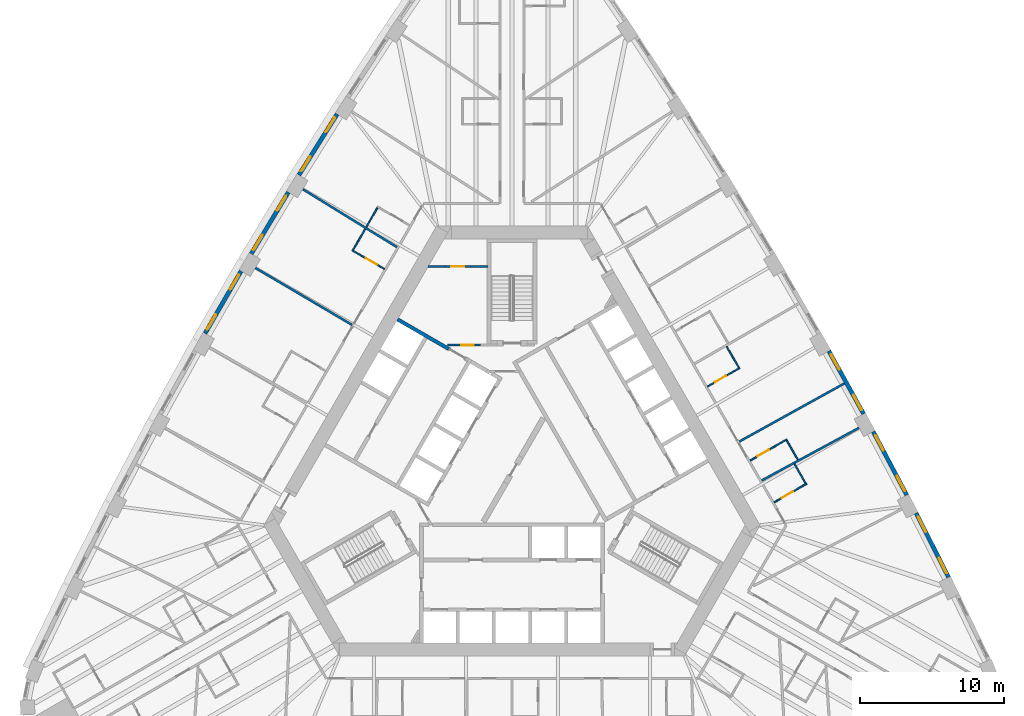
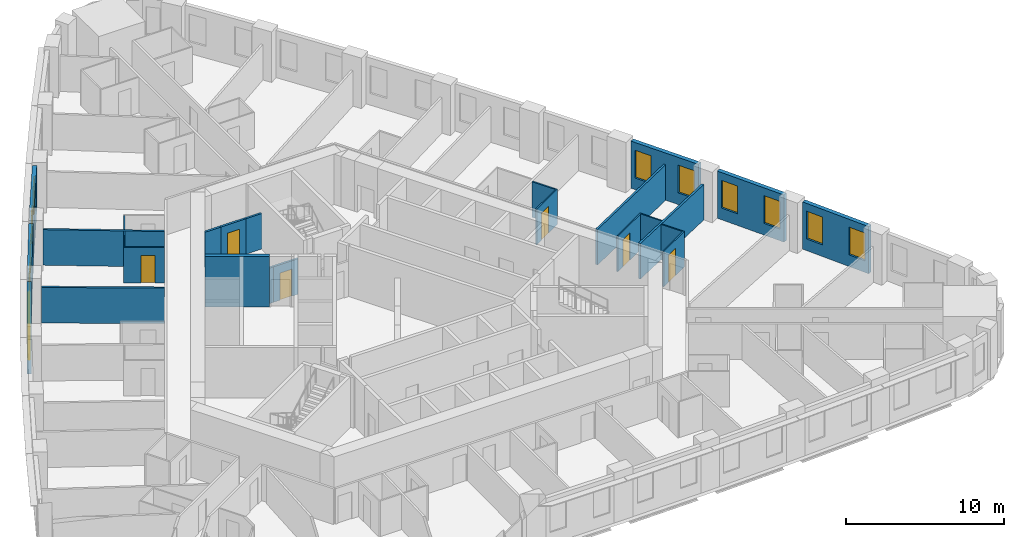
# One storey, part 9 of 13: 25 walls, 12 windows, 6 doors, 18 openings.
"""IFC4 building model written with IfcOpenShell, lengths in metres."""

from ifc_helpers import new_model, si_unit, direction, frame, frame_2d, origin, place, context, subcontext, project, spatial, rectangle, extrude, material, layer, layer_set, type_object, element, fill, save


model = new_model("IFC4")

# Units and contexts
model_context = context("Model", 3, precision=1e-05, world=origin(), true_north=direction((0.0, 1.0)))
body_context = subcontext(model_context, "Body", "Model", "MODEL_VIEW")
ifc_project = project(units=[si_unit("LENGTHUNIT", "METRE"), si_unit("AREAUNIT", "SQUARE_METRE"), si_unit("VOLUMEUNIT", "CUBIC_METRE"), si_unit("PLANEANGLEUNIT", "RADIAN"), si_unit("MASSUNIT", "GRAM", prefix="KILO")], contexts=[model_context])

# Site, building, storey
site_placement = place(None, origin())
site = spatial("IfcSite", under=ifc_project, at=site_placement, CompositionType="ELEMENT")
building_placement = place(site_placement, origin())
building = spatial("IfcBuilding", under=site, at=building_placement, Name="Mestral Congress Tower", CompositionType="ELEMENT")
storey_placement = place(building_placement, frame((0.0, 0.0, 35.39990234375)))
storey = spatial("IfcBuildingStorey", under=building, at=storey_placement, Name="L07", CompositionType="ELEMENT", Elevation=35.39990234375)

# Walls
ifc_material_1 = material(Name="Fire-rated board partition")
ifc_layer_1 = layer(ifc_material_1, 0.14990234375)
ifc_layer_set_1 = layer_set([ifc_layer_1], Name="Fire-rated board partition")
wall_type_1 = type_object("IfcWallType", Name="Core partition 150", PredefinedType="PARTITIONING", material=ifc_layer_set_1)
wall_1_placement = place(storey_placement, frame((-3.99658203125, 8.625244140625, 0.0), z_axis=(0.0, 0.0, 1.0), x_axis=(-1.0, 0.0, 0.0)))
element("IfcWall", 1, at=wall_1_placement, inside=storey, type_object=wall_type_1, Name="L07 core wall", PredefinedType="PARTITIONING", context=body_context, shape_type="SweptSolid", body=[
    extrude(rectangle(XDim=0.502197265625, YDim=0.14990234375, at=frame_2d((0.2509765625, 0.0))), origin(), (0.0, 0.0, 1.0), 2.75),
])
wall_2_placement = place(storey_placement, frame((-5.85107421875, 14.10205078125, 0.0), z_axis=(0.0, 0.0, 1.0), x_axis=(1.0, 0.0, 0.0)))
element("IfcWall", 2, at=wall_2_placement, inside=storey, type_object=wall_type_1, Name="L07 core wall", PredefinedType="PARTITIONING", context=body_context, shape_type="SweptSolid", body=[
    extrude(rectangle(XDim=1.18017578125, YDim=0.14990234375, at=frame_2d((0.590087890625, 0.0))), origin(), (0.0, 0.0, 1.0), 2.75),
])
wall_3_placement = place(storey_placement, frame((-2.87060546875, 14.10205078125, 0.0), z_axis=(0.0, 0.0, 1.0), x_axis=(1.0, 0.0, 0.0)))
element("IfcWall", 3, at=wall_3_placement, inside=storey, type_object=wall_type_1, Name="L07 core wall", PredefinedType="PARTITIONING", context=body_context, shape_type="SweptSolid", body=[
    extrude(rectangle(XDim=1.195556640625, YDim=0.14990234375, at=frame_2d((0.59765625, 0.0))), origin(), (0.0, 0.0, 1.0), 2.75),
])

# Wall, opening, door
wall_4_placement = place(storey_placement, frame((-2.1962890625, 8.625, 0.0), z_axis=(0.0, 0.0, 1.0), x_axis=(-1.0, 0.0, 0.0)))
wall_4 = element("IfcWall", 4, at=wall_4_placement, inside=storey, type_object=wall_type_1, Name="L07 door wall", PredefinedType="PARTITIONING", context=body_context, shape_type="SweptSolid", body=[
    extrude(rectangle(XDim=1.800048828125, YDim=0.14990234375, at=frame_2d((0.89990234375, 0.0))), origin(), (0.0, 0.0, 1.0), 2.75),
])
opening_1_placement = place(wall_4_placement, frame((0.449951171875, 0.0, 0.0)))
opening_1 = element("IfcOpeningElement", 5, at=opening_1_placement, cuts=wall_4, Name="Opening TD2", PredefinedType="OPENING", context=body_context, shape_type="SweptSolid", body=[
    extrude(rectangle(XDim=0.89990234375, YDim=2.10009765625, at=frame_2d((0.449951171875, 1.050048828125))), frame((0.0, 0.0849609375, 0.0), z_axis=(0.0, -1.0, 0.0), x_axis=(1.0, 0.0, 0.0)), (0.0, 0.0, 1.0), 0.169921875),
])
ifc_material_2 = material(Name="Fire-rated steel door set", Category="steel")
door_type_1 = type_object("IfcDoorType", Name="Core door SR 900x2100", OperationType="SINGLE_SWING_LEFT", PredefinedType="DOOR", material=ifc_material_2)
door_1_placement = place(opening_1_placement, origin())
door_1 = element("IfcDoor", 6, at=door_1_placement, inside=storey, type_object=door_type_1, Name="Door TD2", OperationType="SINGLE_SWING_LEFT", OverallHeight=2.10009765625, OverallWidth=0.89990234375, PredefinedType="DOOR", context=body_context, shape_type="SweptSolid", body=[
    extrude(rectangle(XDim=0.89990234375, YDim=2.10009765625, at=frame_2d((0.449951171875, 1.050048828125))), frame((0.0, 0.02490234375, 0.0), z_axis=(0.0, -1.0, 0.0), x_axis=(1.0, 0.0, 0.0)), (0.0, 0.0, 1.0), 0.050048828125),
])
fill(opening_1, door_1)

wall_5_placement = place(storey_placement, frame((-2.870849609375, 14.10205078125, 0.0), z_axis=(0.0, 0.0, 1.0), x_axis=(-1.0, 0.0, 0.0)))
wall_5 = element("IfcWall", 7, at=wall_5_placement, inside=storey, type_object=wall_type_1, Name="L07 door wall", PredefinedType="PARTITIONING", context=body_context, shape_type="SweptSolid", body=[
    extrude(rectangle(XDim=1.800048828125, YDim=0.14990234375, at=frame_2d((0.89990234375, 0.0))), origin(), (0.0, 0.0, 1.0), 2.75),
])
opening_2_placement = place(wall_5_placement, frame((0.449951171875, 0.0, 0.0)))
opening_2 = element("IfcOpeningElement", 8, at=opening_2_placement, cuts=wall_5, Name="Opening SD-WS2", PredefinedType="OPENING", context=body_context, shape_type="SweptSolid", body=[
    extrude(rectangle(XDim=0.89990234375, YDim=2.10009765625, at=frame_2d((0.449951171875, 1.050048828125))), frame((0.0, 0.0849609375, 0.0), z_axis=(0.0, -1.0, 0.0), x_axis=(1.0, 0.0, 0.0)), (0.0, 0.0, 1.0), 0.169921875),
])
door_2_placement = place(opening_2_placement, origin())
door_2 = element("IfcDoor", 9, at=door_2_placement, inside=storey, type_object=door_type_1, Name="Door SD-WS2", OperationType="SINGLE_SWING_LEFT", OverallHeight=2.10009765625, OverallWidth=0.89990234375, PredefinedType="DOOR", context=body_context, shape_type="SweptSolid", body=[
    extrude(rectangle(XDim=0.89990234375, YDim=2.10009765625, at=frame_2d((0.449951171875, 1.050048828125))), frame((0.0, 0.02490234375, 0.0), z_axis=(0.0, -1.0, 0.0), x_axis=(1.0, 0.0, 0.0)), (0.0, 0.0, 1.0), 0.050048828125),
])
fill(opening_2, door_2)

# Wall, openings, windows
ifc_material_3 = material(Name="Precast concrete C40/50 with limestone facing", Category="masonry")
ifc_layer_2 = layer(ifc_material_3, 0.2900390625)
ifc_layer_set_2 = layer_set([ifc_layer_2], Name="Precast concrete C40/50 with limestone facing")
wall_type_2 = type_object("IfcWallType", Name="Facade stone wall 290", PredefinedType="SOLIDWALL", material=ifc_layer_set_2)
wall_6_placement = place(storey_placement, frame((30.376953125, -7.5205078125, 0.0), z_axis=(0.0, 0.0, 1.0), x_axis=(-0.451233929645, 0.892405704115, 0.0)))
wall_6 = element("IfcWall", 10, at=wall_6_placement, inside=storey, type_object=wall_type_2, Name="Facade wall F1-01", PredefinedType="SOLIDWALL", context=body_context, shape_type="SweptSolid", body=[
    extrude(rectangle(XDim=4.998291015625, YDim=0.2900390625, at=frame_2d((2.4990234375, 0.0))), origin(), (0.0, 0.0, 1.0), 3.650146484375),
])
opening_3_placement = place(wall_6_placement, frame((0.297119140625, 0.0, 0.89990234375)))
opening_3 = element("IfcOpeningElement", 11, at=opening_3_placement, cuts=wall_6, Name="Opening W1", PredefinedType="OPENING", context=body_context, shape_type="SweptSolid", body=[
    extrude(rectangle(XDim=1.199951171875, YDim=2.14990234375, at=frame_2d((0.60009765625, 1.074951171875))), frame((0.0, 0.155029296875, 0.0), z_axis=(0.0, -1.0, 0.0), x_axis=(1.0, 0.0, 0.0)), (0.0, 0.0, 1.0), 0.31005859375),
])
opening_4_placement = place(wall_6_placement, frame((3.501220703125, 0.0, 0.89990234375)))
opening_4 = element("IfcOpeningElement", 12, at=opening_4_placement, cuts=wall_6, Name="Opening W1", PredefinedType="OPENING", context=body_context, shape_type="SweptSolid", body=[
    extrude(rectangle(XDim=1.199951171875, YDim=2.14990234375, at=frame_2d((0.60009765625, 1.074951171875))), frame((0.0, 0.155029296875, 0.0), z_axis=(0.0, -1.0, 0.0), x_axis=(1.0, 0.0, 0.0)), (0.0, 0.0, 1.0), 0.31005859375),
])
ifc_material_4 = material(Name="Clear low-emissivity double glazing", Category="glass")
window_type = type_object("IfcWindowType", Name="Facade punched window 1200 x 2150 sill 900", PartitioningType="DOUBLE_PANEL_VERTICAL", PredefinedType="WINDOW", material=ifc_material_4)
window_1_placement = place(opening_3_placement, origin())
window_1 = element("IfcWindow", 13, at=window_1_placement, inside=storey, type_object=window_type, Name="Window F1-01a", OverallHeight=2.14990234375, OverallWidth=1.199951171875, PartitioningType="DOUBLE_PANEL_VERTICAL", PredefinedType="WINDOW", context=body_context, shape_type="SweptSolid", body=[
    extrude(rectangle(XDim=1.199951171875, YDim=2.14990234375, at=frame_2d((0.60009765625, 1.074951171875))), frame((0.0, 0.01513671875, 0.0), z_axis=(0.0, -1.0, 0.0), x_axis=(1.0, 0.0, 0.0)), (0.0, 0.0, 1.0), 0.06005859375),
])
fill(opening_3, window_1)
window_2_placement = place(opening_4_placement, origin())
window_2 = element("IfcWindow", 14, at=window_2_placement, inside=storey, type_object=window_type, Name="Window F1-01b", OverallHeight=2.14990234375, OverallWidth=1.199951171875, PartitioningType="DOUBLE_PANEL_VERTICAL", PredefinedType="WINDOW", context=body_context, shape_type="SweptSolid", body=[
    extrude(rectangle(XDim=1.199951171875, YDim=2.14990234375, at=frame_2d((0.60009765625, 1.074951171875))), frame((0.0, 0.01513671875, 0.0), z_axis=(0.0, -1.0, 0.0), x_axis=(1.0, 0.0, 0.0)), (0.0, 0.0, 1.0), 0.06005859375),
])
fill(opening_4, window_2)

wall_7_placement = place(storey_placement, frame((27.47509765625, -1.810302734375, 0.0), z_axis=(0.0, 0.0, 1.0), x_axis=(-0.467629620899, 0.883924509026, 0.0)))
wall_7 = element("IfcWall", 15, at=wall_7_placement, inside=storey, type_object=wall_type_2, Name="Facade wall F1-02", PredefinedType="SOLIDWALL", context=body_context, shape_type="SweptSolid", body=[
    extrude(rectangle(XDim=4.998291015625, YDim=0.2900390625, at=frame_2d((2.4990234375, 0.0))), origin(), (0.0, 0.0, 1.0), 3.650146484375),
])
opening_5_placement = place(wall_7_placement, frame((0.297119140625, 0.0, 0.89990234375)))
opening_5 = element("IfcOpeningElement", 16, at=opening_5_placement, cuts=wall_7, Name="Opening W1", PredefinedType="OPENING", context=body_context, shape_type="SweptSolid", body=[
    extrude(rectangle(XDim=1.199951171875, YDim=2.14990234375, at=frame_2d((0.60009765625, 1.074951171875))), frame((0.0, 0.155029296875, 0.0), z_axis=(0.0, -1.0, 0.0), x_axis=(1.0, 0.0, 0.0)), (0.0, 0.0, 1.0), 0.31005859375),
])
opening_6_placement = place(wall_7_placement, frame((3.501220703125, 0.0, 0.89990234375)))
opening_6 = element("IfcOpeningElement", 17, at=opening_6_placement, cuts=wall_7, Name="Opening W1", PredefinedType="OPENING", context=body_context, shape_type="SweptSolid", body=[
    extrude(rectangle(XDim=1.199951171875, YDim=2.14990234375, at=frame_2d((0.60009765625, 1.074951171875))), frame((0.0, 0.155029296875, 0.0), z_axis=(0.0, -1.0, 0.0), x_axis=(1.0, 0.0, 0.0)), (0.0, 0.0, 1.0), 0.31005859375),
])
window_3_placement = place(opening_5_placement, origin())
window_3 = element("IfcWindow", 18, at=window_3_placement, inside=storey, type_object=window_type, Name="Window F1-02a", OverallHeight=2.14990234375, OverallWidth=1.199951171875, PartitioningType="DOUBLE_PANEL_VERTICAL", PredefinedType="WINDOW", context=body_context, shape_type="SweptSolid", body=[
    extrude(rectangle(XDim=1.199951171875, YDim=2.14990234375, at=frame_2d((0.60009765625, 1.074951171875))), frame((0.0, 0.01513671875, 0.0), z_axis=(0.0, -1.0, 0.0), x_axis=(1.0, 0.0, 0.0)), (0.0, 0.0, 1.0), 0.06005859375),
])
fill(opening_5, window_3)
window_4_placement = place(opening_6_placement, origin())
window_4 = element("IfcWindow", 19, at=window_4_placement, inside=storey, type_object=window_type, Name="Window F1-02b", OverallHeight=2.14990234375, OverallWidth=1.199951171875, PartitioningType="DOUBLE_PANEL_VERTICAL", PredefinedType="WINDOW", context=body_context, shape_type="SweptSolid", body=[
    extrude(rectangle(XDim=1.199951171875, YDim=2.14990234375, at=frame_2d((0.60009765625, 1.074951171875))), frame((0.0, 0.01513671875, 0.0), z_axis=(0.0, -1.0, 0.0), x_axis=(1.0, 0.0, 0.0)), (0.0, 0.0, 1.0), 0.06005859375),
])
fill(opening_6, window_4)

wall_8_placement = place(storey_placement, frame((24.46826171875, 3.845703125, 0.0), z_axis=(0.0, 0.0, 1.0), x_axis=(-0.483912572871, 0.875116347589, 0.0)))
wall_8 = element("IfcWall", 20, at=wall_8_placement, inside=storey, type_object=wall_type_2, Name="Facade wall F1-03", PredefinedType="SOLIDWALL", context=body_context, shape_type="SweptSolid", body=[
    extrude(rectangle(XDim=4.998291015625, YDim=0.2900390625, at=frame_2d((2.4990234375, 0.0))), origin(), (0.0, 0.0, 1.0), 3.650146484375),
])
opening_7_placement = place(wall_8_placement, frame((0.297119140625, 0.0, 0.89990234375)))
opening_7 = element("IfcOpeningElement", 21, at=opening_7_placement, cuts=wall_8, Name="Opening W1", PredefinedType="OPENING", context=body_context, shape_type="SweptSolid", body=[
    extrude(rectangle(XDim=1.199951171875, YDim=2.14990234375, at=frame_2d((0.60009765625, 1.074951171875))), frame((0.0, 0.155029296875, 0.0), z_axis=(0.0, -1.0, 0.0), x_axis=(1.0, 0.0, 0.0)), (0.0, 0.0, 1.0), 0.31005859375),
])
opening_8_placement = place(wall_8_placement, frame((3.501220703125, 0.0, 0.89990234375)))
opening_8 = element("IfcOpeningElement", 22, at=opening_8_placement, cuts=wall_8, Name="Opening W1", PredefinedType="OPENING", context=body_context, shape_type="SweptSolid", body=[
    extrude(rectangle(XDim=1.199951171875, YDim=2.14990234375, at=frame_2d((0.60009765625, 1.074951171875))), frame((0.0, 0.155029296875, 0.0), z_axis=(0.0, -1.0, 0.0), x_axis=(1.0, 0.0, 0.0)), (0.0, 0.0, 1.0), 0.31005859375),
])
window_5_placement = place(opening_7_placement, origin())
window_5 = element("IfcWindow", 23, at=window_5_placement, inside=storey, type_object=window_type, Name="Window F1-03a", OverallHeight=2.14990234375, OverallWidth=1.199951171875, PartitioningType="DOUBLE_PANEL_VERTICAL", PredefinedType="WINDOW", context=body_context, shape_type="SweptSolid", body=[
    extrude(rectangle(XDim=1.199951171875, YDim=2.14990234375, at=frame_2d((0.60009765625, 1.074951171875))), frame((0.0, 0.01513671875, 0.0), z_axis=(0.0, -1.0, 0.0), x_axis=(1.0, 0.0, 0.0)), (0.0, 0.0, 1.0), 0.06005859375),
])
fill(opening_7, window_5)
window_6_placement = place(opening_8_placement, origin())
window_6 = element("IfcWindow", 24, at=window_6_placement, inside=storey, type_object=window_type, Name="Window F1-03b", OverallHeight=2.14990234375, OverallWidth=1.199951171875, PartitioningType="DOUBLE_PANEL_VERTICAL", PredefinedType="WINDOW", context=body_context, shape_type="SweptSolid", body=[
    extrude(rectangle(XDim=1.199951171875, YDim=2.14990234375, at=frame_2d((0.60009765625, 1.074951171875))), frame((0.0, 0.01513671875, 0.0), z_axis=(0.0, -1.0, 0.0), x_axis=(1.0, 0.0, 0.0)), (0.0, 0.0, 1.0), 0.06005859375),
])
fill(opening_8, window_6)

wall_9_placement = place(storey_placement, frame((-12.169921875, 24.69921875, 0.0), z_axis=(0.0, 0.0, 1.0), x_axis=(-0.531688286542, -0.846940119462, 0.0)))
wall_9 = element("IfcWall", 25, at=wall_9_placement, inside=storey, type_object=wall_type_2, Name="Facade wall F2-02", PredefinedType="SOLIDWALL", context=body_context, shape_type="SweptSolid", body=[
    extrude(rectangle(XDim=4.998291015625, YDim=0.2900390625, at=frame_2d((2.4990234375, 0.0))), origin(), (0.0, 0.0, 1.0), 3.650146484375),
])
opening_9_placement = place(wall_9_placement, frame((0.297119140625, 0.0, 0.89990234375)))
opening_9 = element("IfcOpeningElement", 26, at=opening_9_placement, cuts=wall_9, Name="Opening W1", PredefinedType="OPENING", context=body_context, shape_type="SweptSolid", body=[
    extrude(rectangle(XDim=1.199951171875, YDim=2.14990234375, at=frame_2d((0.60009765625, 1.074951171875))), frame((0.0, 0.155029296875, 0.0), z_axis=(0.0, -1.0, 0.0), x_axis=(1.0, 0.0, 0.0)), (0.0, 0.0, 1.0), 0.31005859375),
])
opening_10_placement = place(wall_9_placement, frame((3.501220703125, 0.0, 0.89990234375)))
opening_10 = element("IfcOpeningElement", 27, at=opening_10_placement, cuts=wall_9, Name="Opening W1", PredefinedType="OPENING", context=body_context, shape_type="SweptSolid", body=[
    extrude(rectangle(XDim=1.199951171875, YDim=2.14990234375, at=frame_2d((0.60009765625, 1.074951171875))), frame((0.0, 0.155029296875, 0.0), z_axis=(0.0, -1.0, 0.0), x_axis=(1.0, 0.0, 0.0)), (0.0, 0.0, 1.0), 0.31005859375),
])
window_7_placement = place(opening_9_placement, origin())
window_7 = element("IfcWindow", 28, at=window_7_placement, inside=storey, type_object=window_type, Name="Window F2-02a", OverallHeight=2.14990234375, OverallWidth=1.199951171875, PartitioningType="DOUBLE_PANEL_VERTICAL", PredefinedType="WINDOW", context=body_context, shape_type="SweptSolid", body=[
    extrude(rectangle(XDim=1.199951171875, YDim=2.14990234375, at=frame_2d((0.60009765625, 1.074951171875))), frame((0.0, 0.01513671875, 0.0), z_axis=(0.0, -1.0, 0.0), x_axis=(1.0, 0.0, 0.0)), (0.0, 0.0, 1.0), 0.06005859375),
])
fill(opening_9, window_7)
window_8_placement = place(opening_10_placement, origin())
window_8 = element("IfcWindow", 29, at=window_8_placement, inside=storey, type_object=window_type, Name="Window F2-02b", OverallHeight=2.14990234375, OverallWidth=1.199951171875, PartitioningType="DOUBLE_PANEL_VERTICAL", PredefinedType="WINDOW", context=body_context, shape_type="SweptSolid", body=[
    extrude(rectangle(XDim=1.199951171875, YDim=2.14990234375, at=frame_2d((0.60009765625, 1.074951171875))), frame((0.0, 0.01513671875, 0.0), z_axis=(0.0, -1.0, 0.0), x_axis=(1.0, 0.0, 0.0)), (0.0, 0.0, 1.0), 0.06005859375),
])
fill(opening_10, window_8)

wall_10_placement = place(storey_placement, frame((-15.564453125, 19.267333984375, 0.0), z_axis=(0.0, 0.0, 1.0), x_axis=(-0.515938796285, -0.856625448191, 0.0)))
wall_10 = element("IfcWall", 30, at=wall_10_placement, inside=storey, type_object=wall_type_2, Name="Facade wall F2-03", PredefinedType="SOLIDWALL", context=body_context, shape_type="SweptSolid", body=[
    extrude(rectangle(XDim=4.998291015625, YDim=0.2900390625, at=frame_2d((2.4990234375, 0.0))), origin(), (0.0, 0.0, 1.0), 3.650146484375),
])
opening_11_placement = place(wall_10_placement, frame((0.297119140625, 0.0, 0.89990234375)))
opening_11 = element("IfcOpeningElement", 31, at=opening_11_placement, cuts=wall_10, Name="Opening W1", PredefinedType="OPENING", context=body_context, shape_type="SweptSolid", body=[
    extrude(rectangle(XDim=1.199951171875, YDim=2.14990234375, at=frame_2d((0.60009765625, 1.074951171875))), frame((0.0, 0.155029296875, 0.0), z_axis=(0.0, -1.0, 0.0), x_axis=(1.0, 0.0, 0.0)), (0.0, 0.0, 1.0), 0.31005859375),
])
opening_12_placement = place(wall_10_placement, frame((3.501220703125, 0.0, 0.89990234375)))
opening_12 = element("IfcOpeningElement", 32, at=opening_12_placement, cuts=wall_10, Name="Opening W1", PredefinedType="OPENING", context=body_context, shape_type="SweptSolid", body=[
    extrude(rectangle(XDim=1.199951171875, YDim=2.14990234375, at=frame_2d((0.60009765625, 1.074951171875))), frame((0.0, 0.155029296875, 0.0), z_axis=(0.0, -1.0, 0.0), x_axis=(1.0, 0.0, 0.0)), (0.0, 0.0, 1.0), 0.31005859375),
])
window_9_placement = place(opening_11_placement, origin())
window_9 = element("IfcWindow", 33, at=window_9_placement, inside=storey, type_object=window_type, Name="Window F2-03a", OverallHeight=2.14990234375, OverallWidth=1.199951171875, PartitioningType="DOUBLE_PANEL_VERTICAL", PredefinedType="WINDOW", context=body_context, shape_type="SweptSolid", body=[
    extrude(rectangle(XDim=1.199951171875, YDim=2.14990234375, at=frame_2d((0.60009765625, 1.074951171875))), frame((0.0, 0.01513671875, 0.0), z_axis=(0.0, -1.0, 0.0), x_axis=(1.0, 0.0, 0.0)), (0.0, 0.0, 1.0), 0.06005859375),
])
fill(opening_11, window_9)
window_10_placement = place(opening_12_placement, origin())
window_10 = element("IfcWindow", 34, at=window_10_placement, inside=storey, type_object=window_type, Name="Window F2-03b", OverallHeight=2.14990234375, OverallWidth=1.199951171875, PartitioningType="DOUBLE_PANEL_VERTICAL", PredefinedType="WINDOW", context=body_context, shape_type="SweptSolid", body=[
    extrude(rectangle(XDim=1.199951171875, YDim=2.14990234375, at=frame_2d((0.60009765625, 1.074951171875))), frame((0.0, 0.01513671875, 0.0), z_axis=(0.0, -1.0, 0.0), x_axis=(1.0, 0.0, 0.0)), (0.0, 0.0, 1.0), 0.06005859375),
])
fill(opening_12, window_10)

wall_11_placement = place(storey_placement, frame((-18.85791015625, 13.7734375, 0.0), z_axis=(0.0, 0.0, 1.0), x_axis=(-0.50002123722, -0.866013142123, 0.0)))
wall_11 = element("IfcWall", 35, at=wall_11_placement, inside=storey, type_object=wall_type_2, Name="Facade wall F2-04", PredefinedType="SOLIDWALL", context=body_context, shape_type="SweptSolid", body=[
    extrude(rectangle(XDim=4.998291015625, YDim=0.2900390625, at=frame_2d((2.4990234375, 0.0))), origin(), (0.0, 0.0, 1.0), 3.650146484375),
])
opening_13_placement = place(wall_11_placement, frame((0.297119140625, 0.0, 0.89990234375)))
opening_13 = element("IfcOpeningElement", 36, at=opening_13_placement, cuts=wall_11, Name="Opening W1", PredefinedType="OPENING", context=body_context, shape_type="SweptSolid", body=[
    extrude(rectangle(XDim=1.199951171875, YDim=2.14990234375, at=frame_2d((0.60009765625, 1.074951171875))), frame((0.0, 0.155029296875, 0.0), z_axis=(0.0, -1.0, 0.0), x_axis=(1.0, 0.0, 0.0)), (0.0, 0.0, 1.0), 0.31005859375),
])
opening_14_placement = place(wall_11_placement, frame((3.501220703125, 0.0, 0.89990234375)))
opening_14 = element("IfcOpeningElement", 37, at=opening_14_placement, cuts=wall_11, Name="Opening W1", PredefinedType="OPENING", context=body_context, shape_type="SweptSolid", body=[
    extrude(rectangle(XDim=1.199951171875, YDim=2.14990234375, at=frame_2d((0.60009765625, 1.074951171875))), frame((0.0, 0.155029296875, 0.0), z_axis=(0.0, -1.0, 0.0), x_axis=(1.0, 0.0, 0.0)), (0.0, 0.0, 1.0), 0.31005859375),
])
window_11_placement = place(opening_13_placement, origin())
window_11 = element("IfcWindow", 38, at=window_11_placement, inside=storey, type_object=window_type, Name="Window F2-04a", OverallHeight=2.14990234375, OverallWidth=1.199951171875, PartitioningType="DOUBLE_PANEL_VERTICAL", PredefinedType="WINDOW", context=body_context, shape_type="SweptSolid", body=[
    extrude(rectangle(XDim=1.199951171875, YDim=2.14990234375, at=frame_2d((0.60009765625, 1.074951171875))), frame((0.0, 0.01513671875, 0.0), z_axis=(0.0, -1.0, 0.0), x_axis=(1.0, 0.0, 0.0)), (0.0, 0.0, 1.0), 0.06005859375),
])
fill(opening_13, window_11)
window_12_placement = place(opening_14_placement, origin())
window_12 = element("IfcWindow", 39, at=window_12_placement, inside=storey, type_object=window_type, Name="Window F2-04b", OverallHeight=2.14990234375, OverallWidth=1.199951171875, PartitioningType="DOUBLE_PANEL_VERTICAL", PredefinedType="WINDOW", context=body_context, shape_type="SweptSolid", body=[
    extrude(rectangle(XDim=1.199951171875, YDim=2.14990234375, at=frame_2d((0.60009765625, 1.074951171875))), frame((0.0, 0.01513671875, 0.0), z_axis=(0.0, -1.0, 0.0), x_axis=(1.0, 0.0, 0.0)), (0.0, 0.0, 1.0), 0.06005859375),
])
fill(opening_14, window_12)

# Wall, opening, door
ifc_material_5 = material(Name="Gypsum board partition on metal studs with mineral wool", Category="composite")
ifc_layer_3 = layer(ifc_material_5, 0.10009765625)
ifc_layer_set_3 = layer_set([ifc_layer_3], Name="Gypsum board partition on metal studs with mineral wool")
wall_type_3 = type_object("IfcWallType", Name="Hotel partition wall 100", PredefinedType="PARTITIONING", material=ifc_layer_set_3)
wall_12_placement = place(storey_placement, frame((18.25048828125, -2.31103515625, 0.0), z_axis=(0.0, 0.0, 1.0), x_axis=(0.866021400173, 0.500006934395, 0.0)))
wall_12 = element("IfcWall", 40, at=wall_12_placement, inside=storey, type_object=wall_type_3, Name="L07-h-pod13a", PredefinedType="PARTITIONING", context=body_context, shape_type="SweptSolid", body=[
    extrude(rectangle(XDim=2.60009765625, YDim=0.10009765625, at=frame_2d((1.300048828125, 0.0))), origin(), (0.0, 0.0, 1.0), 2.75),
])
opening_15_placement = place(wall_12_placement, frame((0.60009765625, 0.0, 0.0)))
opening_15 = element("IfcOpeningElement", 41, at=opening_15_placement, cuts=wall_12, Name="Opening H01-025", PredefinedType="OPENING", context=body_context, shape_type="SweptSolid", body=[
    extrude(rectangle(XDim=0.89990234375, YDim=2.10009765625, at=frame_2d((0.449951171875, 1.050048828125))), frame((0.0, 0.06005859375, 0.0), z_axis=(0.0, -1.0, 0.0), x_axis=(1.0, 0.0, 0.0)), (0.0, 0.0, 1.0), 0.1201171875),
])
ifc_material_6 = material(Name="Timber veneer door leaf in timber frame", Category="wood")
door_type_2 = type_object("IfcDoorType", Name="Bathroom door 900", OperationType="SINGLE_SWING_LEFT", PredefinedType="DOOR", material=ifc_material_6)
door_3_placement = place(opening_15_placement, origin())
door_3 = element("IfcDoor", 42, at=door_3_placement, inside=storey, type_object=door_type_2, Name="L07-h-d025", OperationType="SINGLE_SWING_LEFT", OverallHeight=2.10009765625, OverallWidth=0.89990234375, PredefinedType="DOOR", context=body_context, shape_type="SweptSolid", body=[
    extrude(rectangle(XDim=0.89990234375, YDim=2.10009765625, at=frame_2d((0.449951171875, 1.050048828125))), frame((0.0, 0.02490234375, 0.0), z_axis=(0.0, -1.0, 0.0), x_axis=(1.0, 0.0, 0.0)), (0.0, 0.0, 1.0), 0.050048828125),
])
fill(opening_15, door_3)

# Wall
wall_13_placement = place(storey_placement, frame((20.43408203125, -0.99267578125, 0.0), z_axis=(0.0, 0.0, 1.0), x_axis=(-0.500086022567, 0.865975732936, 0.0)))
element("IfcWall", 43, at=wall_13_placement, inside=storey, type_object=wall_type_3, Name="L07-h-pod13b", PredefinedType="PARTITIONING", context=body_context, shape_type="SweptSolid", body=[
    extrude(rectangle(XDim=1.550048828125, YDim=0.10009765625, at=frame_2d((0.77490234375, 0.0))), origin(), (0.0, 0.0, 1.0), 2.75),
])

# Wall, opening, door
wall_14_placement = place(storey_placement, frame((19.127197265625, 2.070556640625, 0.0), z_axis=(0.0, 0.0, 1.0), x_axis=(-0.866003658127, -0.500037662692, 0.0)))
wall_14 = element("IfcWall", 44, at=wall_14_placement, inside=storey, type_object=wall_type_3, Name="L07-h-pod14a", PredefinedType="PARTITIONING", context=body_context, shape_type="SweptSolid", body=[
    extrude(rectangle(XDim=2.949951171875, YDim=0.10009765625, at=frame_2d((1.47509765625, 0.0))), origin(), (0.0, 0.0, 1.0), 2.75),
])
opening_16_placement = place(wall_14_placement, frame((1.449951171875, 0.0, 0.0)))
opening_16 = element("IfcOpeningElement", 45, at=opening_16_placement, cuts=wall_14, Name="Opening H01-027", PredefinedType="OPENING", context=body_context, shape_type="SweptSolid", body=[
    extrude(rectangle(XDim=0.89990234375, YDim=2.10009765625, at=frame_2d((0.449951171875, 1.050048828125))), frame((0.0, 0.06005859375, 0.0), z_axis=(0.0, -1.0, 0.0), x_axis=(1.0, 0.0, 0.0)), (0.0, 0.0, 1.0), 0.1201171875),
])
door_4_placement = place(opening_16_placement, origin())
door_4 = element("IfcDoor", 46, at=door_4_placement, inside=storey, type_object=door_type_2, Name="L07-h-d027", OperationType="SINGLE_SWING_LEFT", OverallHeight=2.10009765625, OverallWidth=0.89990234375, PredefinedType="DOOR", context=body_context, shape_type="SweptSolid", body=[
    extrude(rectangle(XDim=0.89990234375, YDim=2.10009765625, at=frame_2d((0.449951171875, 1.050048828125))), frame((0.0, 0.02490234375, 0.0), z_axis=(0.0, -1.0, 0.0), x_axis=(1.0, 0.0, 0.0)), (0.0, 0.0, 1.0), 0.050048828125),
])
fill(opening_16, door_4)

# Wall
wall_15_placement = place(storey_placement, frame((19.10888671875, 2.002197265625, 0.0), z_axis=(0.0, 0.0, 1.0), x_axis=(0.500086022567, -0.865975732936, 0.0)))
element("IfcWall", 47, at=wall_15_placement, inside=storey, type_object=wall_type_3, Name="L07-h-pod14b", PredefinedType="PARTITIONING", context=body_context, shape_type="SweptSolid", body=[
    extrude(rectangle(XDim=1.550048828125, YDim=0.10009765625, at=frame_2d((0.77490234375, 0.0))), origin(), (0.0, 0.0, 1.0), 2.75),
])

# Wall, opening, door
wall_16_placement = place(storey_placement, frame((13.60009765625, 5.743896484375, 0.0), z_axis=(0.0, 0.0, 1.0), x_axis=(0.866021400173, 0.500006934395, 0.0)))
wall_16 = element("IfcWall", 48, at=wall_16_placement, inside=storey, type_object=wall_type_3, Name="L07-h-pod15a", PredefinedType="PARTITIONING", context=body_context, shape_type="SweptSolid", body=[
    extrude(rectangle(XDim=2.60009765625, YDim=0.10009765625, at=frame_2d((1.300048828125, 0.0))), origin(), (0.0, 0.0, 1.0), 2.75),
])
opening_17_placement = place(wall_16_placement, frame((0.60009765625, 0.0, 0.0)))
opening_17 = element("IfcOpeningElement", 49, at=opening_17_placement, cuts=wall_16, Name="Opening H01-029", PredefinedType="OPENING", context=body_context, shape_type="SweptSolid", body=[
    extrude(rectangle(XDim=0.89990234375, YDim=2.10009765625, at=frame_2d((0.449951171875, 1.050048828125))), frame((0.0, 0.06005859375, 0.0), z_axis=(0.0, -1.0, 0.0), x_axis=(1.0, 0.0, 0.0)), (0.0, 0.0, 1.0), 0.1201171875),
])
door_5_placement = place(opening_17_placement, origin())
door_5 = element("IfcDoor", 50, at=door_5_placement, inside=storey, type_object=door_type_2, Name="L07-h-d029", OperationType="SINGLE_SWING_RIGHT", OverallHeight=2.10009765625, OverallWidth=0.89990234375, PredefinedType="DOOR", context=body_context, shape_type="SweptSolid", body=[
    extrude(rectangle(XDim=0.89990234375, YDim=2.10009765625, at=frame_2d((0.449951171875, 1.050048828125))), frame((0.0, 0.02490234375, 0.0), z_axis=(0.0, -1.0, 0.0), x_axis=(1.0, 0.0, 0.0)), (0.0, 0.0, 1.0), 0.050048828125),
])
fill(opening_17, door_5)

# Walls
wall_17_placement = place(storey_placement, frame((15.778564453125, 7.07080078125, 0.0), z_axis=(0.0, 0.0, 1.0), x_axis=(-0.499976720371, 0.866038843867, 0.0)))
element("IfcWall", 51, at=wall_17_placement, inside=storey, type_object=wall_type_3, Name="L07-h-pod15b", PredefinedType="PARTITIONING", context=body_context, shape_type="SweptSolid", body=[
    extrude(rectangle(XDim=1.68994140625, YDim=0.10009765625, at=frame_2d((0.844970703125, 0.0))), origin(), (0.0, 0.0, 1.0), 2.75),
])
wall_18_placement = place(storey_placement, frame((-9.362060546875, 18.184326171875, 0.0), z_axis=(0.0, 0.0, 1.0), x_axis=(-0.499992328818, -0.866029832698, 0.0)))
element("IfcWall", 52, at=wall_18_placement, inside=storey, type_object=wall_type_3, Name="L07-h-pod23b", PredefinedType="PARTITIONING", context=body_context, shape_type="SweptSolid", body=[
    extrude(rectangle(XDim=1.5400390625, YDim=0.10009765625, at=frame_2d((0.77001953125, 0.0))), origin(), (0.0, 0.0, 1.0), 2.75),
])

# Wall, opening, door
wall_19_placement = place(storey_placement, frame((-11.12890625, 15.22412109375, 0.0), z_axis=(0.0, 0.0, 1.0), x_axis=(0.866021400173, -0.500006934395, 0.0)))
wall_19 = element("IfcWall", 53, at=wall_19_placement, inside=storey, type_object=wall_type_3, Name="L07-h-pod24a", PredefinedType="PARTITIONING", context=body_context, shape_type="SweptSolid", body=[
    extrude(rectangle(XDim=2.60009765625, YDim=0.10009765625, at=frame_2d((1.300048828125, 0.0))), origin(), (0.0, 0.0, 1.0), 2.75),
])
opening_18_placement = place(wall_19_placement, frame((1.10009765625, 0.0, 0.0)))
opening_18 = element("IfcOpeningElement", 54, at=opening_18_placement, cuts=wall_19, Name="Opening H01-046", PredefinedType="OPENING", context=body_context, shape_type="SweptSolid", body=[
    extrude(rectangle(XDim=0.89990234375, YDim=2.10009765625, at=frame_2d((0.449951171875, 1.050048828125))), frame((0.0, 0.06005859375, 0.0), z_axis=(0.0, -1.0, 0.0), x_axis=(1.0, 0.0, 0.0)), (0.0, 0.0, 1.0), 0.1201171875),
])
door_6_placement = place(opening_18_placement, origin())
door_6 = element("IfcDoor", 55, at=door_6_placement, inside=storey, type_object=door_type_2, Name="L07-h-d046", OperationType="SINGLE_SWING_RIGHT", OverallHeight=2.10009765625, OverallWidth=0.89990234375, PredefinedType="DOOR", context=body_context, shape_type="SweptSolid", body=[
    extrude(rectangle(XDim=0.89990234375, YDim=2.10009765625, at=frame_2d((0.449951171875, 1.050048828125))), frame((0.0, 0.02490234375, 0.0), z_axis=(0.0, -1.0, 0.0), x_axis=(1.0, 0.0, 0.0)), (0.0, 0.0, 1.0), 0.050048828125),
])
fill(opening_18, door_6)

# Walls
wall_20_placement = place(storey_placement, frame((-11.060791015625, 15.2421875, 0.0), z_axis=(0.0, 0.0, 1.0), x_axis=(0.499976720371, 0.866038843867, 0.0)))
element("IfcWall", 56, at=wall_20_placement, inside=storey, type_object=wall_type_3, Name="L07-h-pod24b", PredefinedType="PARTITIONING", context=body_context, shape_type="SweptSolid", body=[
    extrude(rectangle(XDim=1.68994140625, YDim=0.10009765625, at=frame_2d((0.844970703125, 0.0))), origin(), (0.0, 0.0, 1.0), 2.75),
])
ifc_layer_4 = layer(ifc_material_5, 0.14990234375)
ifc_layer_set_4 = layer_set([ifc_layer_4], Name="Gypsum board partition on metal studs with mineral wool")
wall_type_4 = type_object("IfcWallType", Name="Hotel partition wall 150", PredefinedType="PARTITIONING", material=ifc_layer_set_4)
wall_21_placement = place(storey_placement, frame((-17.85595703125, 13.999267578125, 0.0), z_axis=(0.0, 0.0, 1.0), x_axis=(0.861371519381, -0.507975497047, 0.0)))
element("IfcWall", 57, at=wall_21_placement, inside=storey, type_object=wall_type_4, Name="L07-h-pw09", PredefinedType="PARTITIONING", context=body_context, shape_type="SweptSolid", body=[
    extrude(rectangle(XDim=7.8037109375, YDim=0.14990234375, at=frame_2d((3.90185546875, 0.0))), origin(), (0.0, 0.0, 1.0), 2.75),
])
wall_22_placement = place(storey_placement, frame((-14.55810546875, 19.474609375, 0.0), z_axis=(0.0, 0.0, 1.0), x_axis=(0.851829455142, -0.523819223925, 0.0)))
element("IfcWall", 58, at=wall_22_placement, inside=storey, type_object=wall_type_4, Name="L07-h-pw11", PredefinedType="PARTITIONING", context=body_context, shape_type="SweptSolid", body=[
    extrude(rectangle(XDim=7.68798828125, YDim=0.14990234375, at=frame_2d((3.843994140625, 0.0))), origin(), (0.0, 0.0, 1.0), 2.75),
])
wall_23_placement = place(storey_placement, frame((23.1318359375, 5.96240234375, 0.0), z_axis=(0.0, 0.0, 1.0), x_axis=(-0.875121716713, -0.483902863121, 0.0)))
element("IfcWall", 59, at=wall_23_placement, inside=storey, type_object=wall_type_4, Name="L07-h-pw24", PredefinedType="PARTITIONING", context=body_context, shape_type="SweptSolid", body=[
    extrude(rectangle(XDim=8.35546875, YDim=0.14990234375, at=frame_2d((4.177734375, 0.0))), origin(), (0.0, 0.0, 1.0), 2.75),
])
wall_24_placement = place(storey_placement, frame((24.14453125, 2.87060546875, 0.0), z_axis=(0.0, 0.0, 1.0), x_axis=(-0.879551725039, -0.475803281809, 0.0)))
element("IfcWall", 60, at=wall_24_placement, inside=storey, type_object=wall_type_4, Name="L07-h-pw26", PredefinedType="PARTITIONING", context=body_context, shape_type="SweptSolid", body=[
    extrude(rectangle(XDim=7.68798828125, YDim=0.14990234375, at=frame_2d((3.843994140625, 0.0))), origin(), (0.0, 0.0, 1.0), 2.75),
])
ifc_material_7 = material(Name="Concrete C60/75", Category="concrete")
ifc_layer_5 = layer(ifc_material_7, 0.25)
ifc_layer_set_5 = layer_set([ifc_layer_5], Name="Concrete C60/75")
wall_type_5 = type_object("IfcWallType", Name="Shaft wall RC 250", PredefinedType="SOLIDWALL", material=ifc_layer_set_5)
wall_25_placement = place(storey_placement, frame((-7.958984375, 10.414794921875, 0.0), z_axis=(0.0, 0.0, 1.0), x_axis=(0.866020958405, -0.500007699544, 0.0)))
element("IfcWall", 61, at=wall_25_placement, inside=storey, type_object=wall_type_5, Name="L07 core wall", PredefinedType="SOLIDWALL", context=body_context, shape_type="SweptSolid", body=[
    extrude(rectangle(XDim=4.099609375, YDim=0.25, at=frame_2d((2.0498046875, 0.0))), origin(), (0.0, 0.0, 1.0), 3.900146484375),
])

save(model, "model.ifc")
